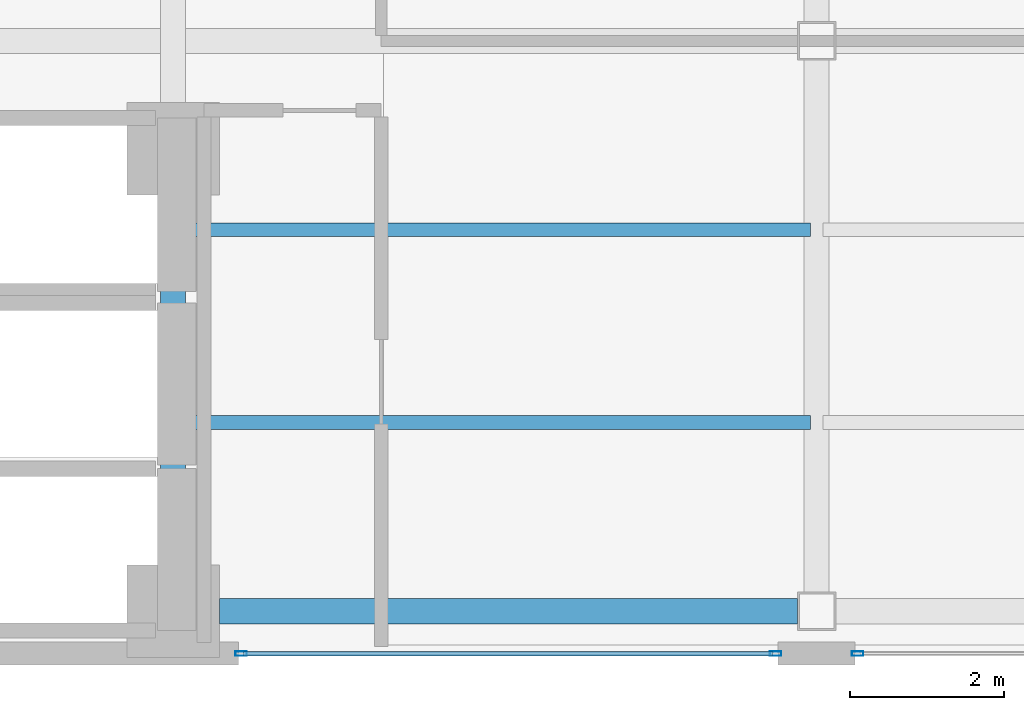
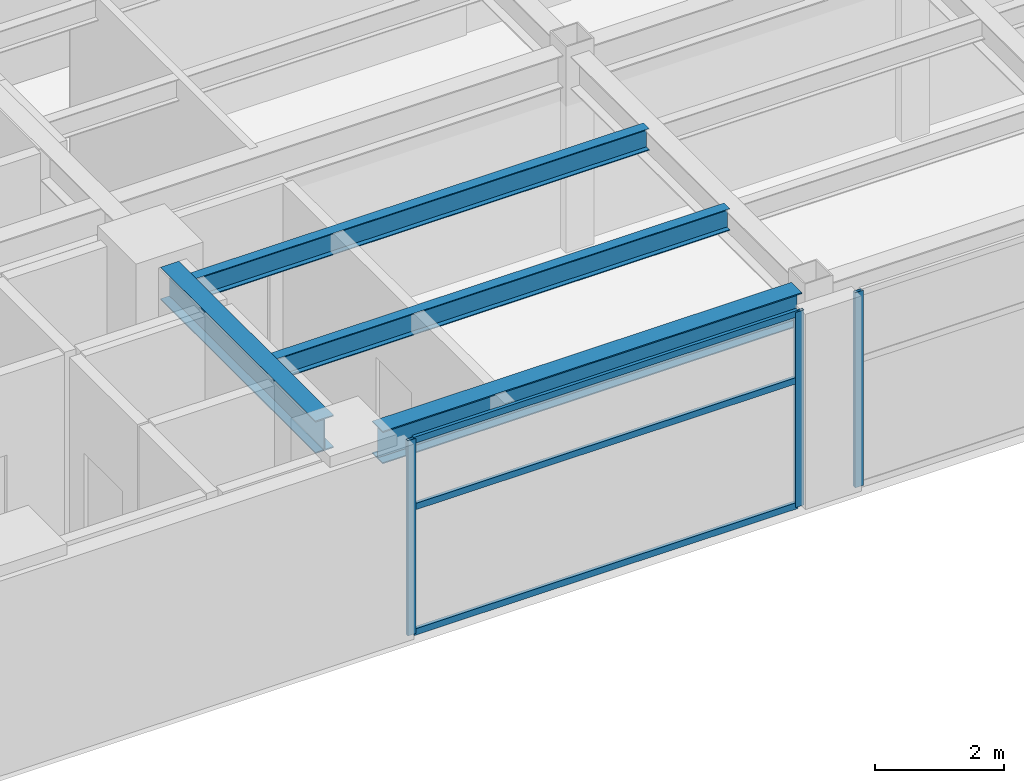
# One storey, part 4 of 15: 6 members, 4 beams, 2 elements without a shape of their own.
"""IFC4 building model written with IfcOpenShell, lengths in metres."""

from ifc_helpers import new_model, si_unit, direction, frame, origin, origin_2d, place, context, subcontext, project, spatial, hollow_rectangle, i_section, extrude, material, layer, layer_set, material_profile, profile_set, type_object, element, aggregate, save


model = new_model("IFC4")

# Units and contexts
model_context = context("Model", 3, precision=1e-05, world=origin(), true_north=direction((0.0, 1.0)))
body_context = subcontext(model_context, "Body", "Model", "MODEL_VIEW")
ifc_project = project(units=[si_unit("LENGTHUNIT", "METRE"), si_unit("AREAUNIT", "SQUARE_METRE"), si_unit("VOLUMEUNIT", "CUBIC_METRE"), si_unit("PLANEANGLEUNIT", "RADIAN"), si_unit("MASSUNIT", "GRAM", prefix="KILO")], contexts=[model_context])

# Site, building, storey
site_placement = place(None, origin())
site = spatial("IfcSite", under=ifc_project, at=site_placement, CompositionType="ELEMENT")
building_placement = place(site_placement, origin())
building = spatial("IfcBuilding", under=site, at=building_placement, Name="Mawjaban Terraces University", CompositionType="ELEMENT")
storey_placement = place(building_placement, frame((0.0, 0.0, 119.0)))
storey = spatial("IfcBuildingStorey", under=building, at=storey_placement, Name="L28", CompositionType="ELEMENT", Elevation=119.0)

# Beams
ifc_material_1 = material(Name="Steel ASTM A572 Grade 50", Category="steel")
ifc_material_profile_1 = material_profile(ifc_material_1, i_section(OverallWidth=0.324951171875, OverallDepth=0.615966796875, WebThickness=0.013916015625, FlangeThickness=0.021484375, at=origin_2d()), Name="W610X174")
ifc_profile_set_1 = profile_set([ifc_material_profile_1], Name="Steel ASTM A572 Grade 50")
beam_type_1 = type_object("IfcBeamType", Name="Beam_B_W610X174", PredefinedType="BEAM", material=ifc_profile_set_1)
beam_1_placement = place(storey_placement, frame((38.25, 0.550048828125, 3.382080078125), z_axis=(1.0, 0.0, 0.0), x_axis=(0.0, 1.0, 0.0)))
element("IfcBeam", 1, at=beam_1_placement, inside=storey, type_object=beam_type_1, Name="L28 Beam BM-L28-EW-01", PredefinedType="BEAM", context=body_context, shape_type="SweptSolid", body=[
    extrude(i_section(OverallWidth=0.324951171875, OverallDepth=0.615966796875, WebThickness=0.013916015625, FlangeThickness=0.021484375, at=origin_2d()), origin(), (0.0, 0.0, 1.0), 7.5),
])
beam_2_placement = place(storey_placement, frame((37.64990234375, 1.14990234375, 3.382080078125), z_axis=(0.0, 1.0, 0.0), x_axis=(-1.0, 0.0, 0.0)))
element("IfcBeam", 2, at=beam_2_placement, inside=storey, type_object=beam_type_1, Name="L28 Beam BM-L28-NS-06", PredefinedType="BEAM", context=body_context, shape_type="SweptSolid", body=[
    extrude(i_section(OverallWidth=0.324951171875, OverallDepth=0.615966796875, WebThickness=0.013916015625, FlangeThickness=0.021484375, at=origin_2d()), origin(), (0.0, 0.0, 1.0), 4.800048828125),
])
ifc_material_profile_2 = material_profile(ifc_material_1, i_section(OverallWidth=0.179931640625, OverallDepth=0.4130859375, WebThickness=0.009765625, FlangeThickness=0.01611328125, at=origin_2d()), Name="W410X74")
ifc_profile_set_2 = profile_set([ifc_material_profile_2], Name="Steel ASTM A572 Grade 50")
beam_type_2 = type_object("IfcBeamType", Name="Beam_J_W410X74", PredefinedType="JOIST", material=ifc_profile_set_2)
for number, where, z_axis, x_axis, name in (
    (3, (37.72998046875, 3.0, 3.48291015625), (1.0, 0.0, 0.0), (0.0, 1.0, 0.0), "L28 Composite Joist JST-L28-01"),
    (4, (37.72998046875, 5.5, 3.48291015625), (1.0, 0.0, 0.0), (0.0, 1.0, 0.0), "L28 Composite Joist JST-L28-05"),
):
    element("IfcBeam", number, at=place(storey_placement, frame(where, z_axis=z_axis, x_axis=x_axis)), inside=storey, type_object=beam_type_2, Name=name, PredefinedType="JOIST", context=body_context, shape_type="SweptSolid", body=[
        extrude(i_section(OverallWidth=0.179931640625, OverallDepth=0.4130859375, WebThickness=0.009765625, FlangeThickness=0.01611328125, at=origin_2d()), origin(), (0.0, 0.0, 1.0), 8.18994140625),
    ])

# Curtain wall, members
ifc_material_2 = material(Name="Anodised aluminium 6063-T6 and solar-control low-E glass", Category="aluminium")
ifc_layer = layer(ifc_material_2, 0.1650390625)
ifc_layer_set = layer_set([ifc_layer], Name="Anodised aluminium 6063-T6 and solar-control low-E glass")
curtain_wall_type = type_object("IfcCurtainWallType", Name="CWSystem_04_EastWing", PredefinedType="NOTDEFINED", material=ifc_layer_set)
curtain_wall_1_placement = place(storey_placement, origin())
curtain_wall_1 = element("IfcCurtainWall", 5, at=curtain_wall_1_placement, inside=storey, type_object=curtain_wall_type, Name="L28 Curtain Wall CW-04 Run 1.2", PredefinedType="NOTDEFINED")
ifc_material_3 = material(Name="Anodised aluminium 6063-T6", Category="aluminium")
ifc_material_profile_3 = material_profile(ifc_material_3, hollow_rectangle(XDim=0.06005859375, YDim=0.14990234375, WallThickness=0.00390625, at=origin_2d()), Name="ALU150X60X4")
ifc_profile_set_3 = profile_set([ifc_material_profile_3], Name="Anodised aluminium 6063-T6")
member_type_1 = type_object("IfcMemberType", Name="Mullion_CW-04", PredefinedType="MULLION", material=ifc_profile_set_3)
member_1_placement = place(storey_placement, frame((38.532470703125, 0.0, 0.0), z_axis=(0.0, 0.0, 1.0), x_axis=(0.0, 1.0, 0.0)))
member_1 = element("IfcMember", 6, at=member_1_placement, type_object=member_type_1, Name="CW-04 mullion 1", PredefinedType="MULLION", context=body_context, shape_type="SweptSolid", body=[
    extrude(hollow_rectangle(XDim=0.06005859375, YDim=0.14990234375, WallThickness=0.00390625, at=origin_2d()), origin(), (0.0, 0.0, 1.0), 3.68994140625),
])
member_2_placement = place(storey_placement, frame((45.467529296875, 0.0, 0.0), z_axis=(0.0, 0.0, 1.0), x_axis=(0.0, 1.0, 0.0)))
member_2 = element("IfcMember", 7, at=member_2_placement, type_object=member_type_1, Name="CW-04 mullion 2", PredefinedType="MULLION", context=body_context, shape_type="SweptSolid", body=[
    extrude(hollow_rectangle(XDim=0.06005859375, YDim=0.14990234375, WallThickness=0.00390625, at=origin_2d()), origin(), (0.0, 0.0, 1.0), 3.68994140625),
])

# Curtain wall, member
curtain_wall_2_placement = place(storey_placement, origin())
curtain_wall_2 = element("IfcCurtainWall", 8, at=curtain_wall_2_placement, inside=storey, type_object=curtain_wall_type, Name="L28 Curtain Wall CW-04 Run 1.3", PredefinedType="NOTDEFINED")
member_3_placement = place(storey_placement, frame((46.532470703125, 0.0, 0.0), z_axis=(0.0, 0.0, 1.0), x_axis=(0.0, 1.0, 0.0)))
member_3 = element("IfcMember", 9, at=member_3_placement, type_object=member_type_1, Name="CW-04 mullion 1", PredefinedType="MULLION", context=body_context, shape_type="SweptSolid", body=[
    extrude(hollow_rectangle(XDim=0.06005859375, YDim=0.14990234375, WallThickness=0.00390625, at=origin_2d()), origin(), (0.0, 0.0, 1.0), 3.68994140625),
])
aggregate(curtain_wall_2, [member_3])

# Member
ifc_material_profile_4 = material_profile(ifc_material_3, hollow_rectangle(XDim=0.06005859375, YDim=0.1201171875, WallThickness=0.00341796875, at=origin_2d()), Name="ALU120X60X3.5")
ifc_profile_set_4 = profile_set([ifc_material_profile_4], Name="Anodised aluminium 6063-T6")
member_type_2 = type_object("IfcMemberType", Name="Transom_CW-04", PredefinedType="NOTDEFINED", material=ifc_profile_set_4)
member_4_placement = place(storey_placement, frame((38.56494140625, 0.0, 0.030029296875), z_axis=(1.0, 0.0, 0.0), x_axis=(0.0, 1.0, 0.0)))
member_4 = element("IfcMember", 10, at=member_4_placement, type_object=member_type_2, Name="CW-04 transom 1.1", ObjectType="TRANSOM", PredefinedType="USERDEFINED", context=body_context, shape_type="SweptSolid", body=[
    extrude(hollow_rectangle(XDim=0.06005859375, YDim=0.1201171875, WallThickness=0.00341796875, at=origin_2d()), origin(), (0.0, 0.0, 1.0), 6.8701171875),
])

member_5_placement = place(storey_placement, frame((38.56494140625, 0.0, 2.39794921875), z_axis=(1.0, 0.0, 0.0), x_axis=(0.0, 1.0, 0.0)))
member_5 = element("IfcMember", 11, at=member_5_placement, type_object=member_type_2, Name="CW-04 transom 1.2", ObjectType="TRANSOM", PredefinedType="USERDEFINED", context=body_context, shape_type="SweptSolid", body=[
    extrude(hollow_rectangle(XDim=0.06005859375, YDim=0.1201171875, WallThickness=0.00341796875, at=origin_2d()), origin(), (0.0, 0.0, 1.0), 6.8701171875),
])

member_6_placement = place(storey_placement, frame((38.56494140625, 0.0, 3.659912109375), z_axis=(1.0, 0.0, 0.0), x_axis=(0.0, 1.0, 0.0)))
member_6 = element("IfcMember", 12, at=member_6_placement, type_object=member_type_2, Name="CW-04 transom 1.3", ObjectType="TRANSOM", PredefinedType="USERDEFINED", context=body_context, shape_type="SweptSolid", body=[
    extrude(hollow_rectangle(XDim=0.06005859375, YDim=0.1201171875, WallThickness=0.00341796875, at=origin_2d()), origin(), (0.0, 0.0, 1.0), 6.8701171875),
])

aggregate(curtain_wall_1, [member_1, member_2, member_4, member_5, member_6])

save(model, "model.ifc")
